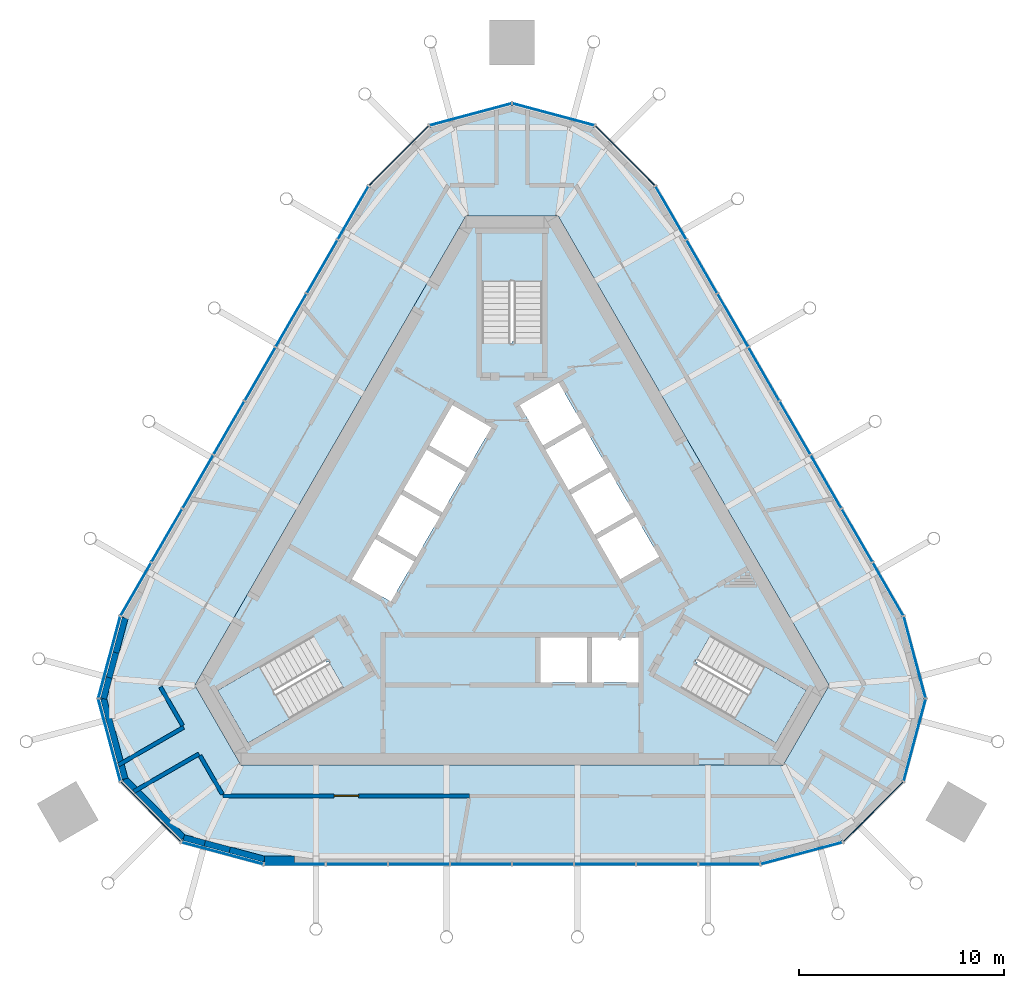
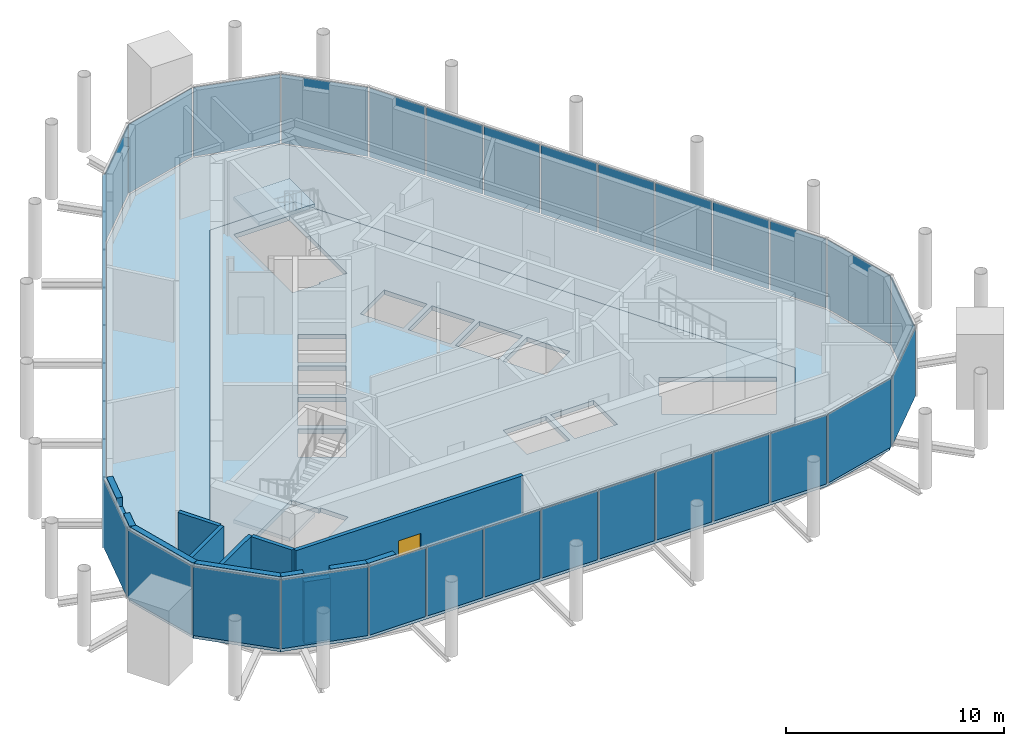
# One storey, part 6 of 11: 36 plates, 14 walls, 5 slabs, 1 door, 1 opening, 9 elements without a shape of their own.
"""IFC4 building model written with IfcOpenShell, lengths in metres."""

import ifcopenshell
import ifcopenshell.guid

model = None  # the IFC model being written
_history = None  # IfcOwnerHistory: only IFC2X3 demands one
_inside = {}  # id of a spatial element -> (the spatial element, [elements in it])
_under = {}  # id of a project, library or spatial element -> (it, [spatial elements below it])
_declared = {}  # id of a project -> (the project, [libraries it declares])
_typed = {}  # id of a type object -> (the type object, [elements of that type])
_made_of = {}  # id of a material, layer set ... -> (it, [elements and type objects made of it])


def new_model(schema):
    """Start an empty IFC model of exactly this schema.

    Asked for "IFC4X3", IfcOpenShell would pick the latest addendum, in which some entities
    have other attributes; the version numbers below select the first issue.
    IFC2X3 requires an IfcOwnerHistory on every rooted entity: one is made here for all.
    """
    global model, _history
    if schema == "IFC4X3":
        model = ifcopenshell.file(schema_version=(4, 3, 0, 0))
    else:
        model = ifcopenshell.file(schema=schema)
    _inside.clear()
    _under.clear()
    _declared.clear()
    _typed.clear()
    _made_of.clear()
    _history = None
    if model.schema == "IFC2X3":
        org = make("IfcOrganization", Name="unknown")
        user = make(
            "IfcPersonAndOrganization",
            ThePerson=make("IfcPerson", FamilyName="unknown"),
            TheOrganization=org,
        )
        app = make(
            "IfcApplication",
            ApplicationDeveloper=org,
            Version="unknown",
            ApplicationFullName="unknown",
            ApplicationIdentifier="unknown",
        )
        _history = make(
            "IfcOwnerHistory",
            OwningUser=user,
            OwningApplication=app,
            ChangeAction="ADDED",
            CreationDate=0,
        )
    return model


def make(cls, **values):
    """One entity of the class cls with the attributes given. An attribute that is None is left unset."""
    return model.create_entity(
        cls, **{name: value for name, value in values.items() if value is not None}
    )


def rooted(cls, **values):
    """An entity with a GlobalId (a new one), such as an element, a storey or a relation."""
    return make(cls, GlobalId=ifcopenshell.guid.new(), OwnerHistory=_history, **values)


def si_unit(unit_type, name, prefix=None):
    """IfcSIUnit, for example si_unit("LENGTHUNIT", "METRE", prefix="MILLI")."""
    return make("IfcSIUnit", UnitType=unit_type, Prefix=prefix, Name=name)


def assignment(units):
    """IfcUnitAssignment: the units of a project."""
    return None if units is None else make("IfcUnitAssignment", Units=units)


def point(xyz):
    """IfcCartesianPoint."""
    return None if xyz is None else make("IfcCartesianPoint", Coordinates=xyz)


def direction(xyz):
    """IfcDirection."""
    return None if xyz is None else make("IfcDirection", DirectionRatios=xyz)


def frame(location, z_axis=None, x_axis=None):
    """IfcAxis2Placement3D, a coordinate frame: its origin and axes. An axis left out is left unset."""
    return make(
        "IfcAxis2Placement3D",
        Location=point(location),
        Axis=direction(z_axis),
        RefDirection=direction(x_axis),
    )


def frame_2d(location, x_axis=None):
    """IfcAxis2Placement2D, a coordinate frame in the plane: its origin and x axis."""
    return make(
        "IfcAxis2Placement2D", Location=point(location), RefDirection=direction(x_axis)
    )


def origin():
    """The frame at (0, 0, 0) with its axes left unset."""
    return frame((0.0, 0.0, 0.0))


def origin_2d():
    """The frame at (0, 0) in the plane with its x axis left unset."""
    return frame_2d((0.0, 0.0))


def place(relative_to, where):
    """IfcLocalPlacement: puts the frame where relative to a parent placement (None: the world)."""
    return make(
        "IfcLocalPlacement", PlacementRelTo=relative_to, RelativePlacement=where
    )


def context(
    kind, dimensions, precision=None, world=None, true_north=None, identifier=None
):
    """IfcGeometricRepresentationContext, for example the 3D "Model" context."""
    return make(
        "IfcGeometricRepresentationContext",
        ContextIdentifier=identifier,
        ContextType=kind,
        CoordinateSpaceDimension=dimensions,
        Precision=precision,
        WorldCoordinateSystem=world,
        TrueNorth=true_north,
    )


def subcontext(parent, identifier, kind, view, scale=None):
    """IfcGeometricRepresentationSubContext, for example "Body" below "Model"."""
    return make(
        "IfcGeometricRepresentationSubContext",
        ContextIdentifier=identifier,
        ContextType=kind,
        ParentContext=parent,
        TargetScale=scale,
        TargetView=view,
    )


def project(units=None, contexts=None):
    """IfcProject with its units and contexts."""
    return rooted(
        "IfcProject",
        Name="project",
        RepresentationContexts=contexts,
        UnitsInContext=assignment(units),
    )


def spatial(cls, under=None, at=None, **own):
    """A site, building, storey or space (cls), placed at a placement, below another one or the project."""
    s = rooted(cls, ObjectPlacement=at, **own)
    if under is not None:
        _under.setdefault(under.id(), (under, []))[1].append(s)
    return s


def polyline(points):
    """IfcPolyline through the points."""
    return make("IfcPolyline", Points=[point(p) for p in points])


def profile(cls, at=None, kind="AREA", **sizes):
    """A parametric profile (cls). Its sizes go by their IFC names, for example OverallWidth=200.0."""
    return make(cls, ProfileType=kind, Position=at, **sizes)


def rectangle(**sizes):
    """IfcRectangleProfileDef."""
    return profile("IfcRectangleProfileDef", **sizes)


def outline(outer, holes=None, kind="AREA"):
    """IfcArbitraryClosedProfileDef: a profile drawn as a closed curve; with holes, ...WithVoids."""
    if holes is None:
        return make("IfcArbitraryClosedProfileDef", ProfileType=kind, OuterCurve=outer)
    return make(
        "IfcArbitraryProfileDefWithVoids",
        ProfileType=kind,
        OuterCurve=outer,
        InnerCurves=holes,
    )


def extrude(swept, where, along, depth):
    """IfcExtrudedAreaSolid: the profile swept, set in the frame where, extruded along a direction by depth."""
    return make(
        "IfcExtrudedAreaSolid",
        SweptArea=swept,
        Position=where,
        ExtrudedDirection=direction(along),
        Depth=depth,
    )


def shape(context_of_items, identifier, shape_type, items):
    """IfcShapeRepresentation: the items that make up one representation, for example the "Body"."""
    return make(
        "IfcShapeRepresentation",
        ContextOfItems=context_of_items,
        RepresentationIdentifier=identifier,
        RepresentationType=shape_type,
        Items=items,
    )


def material(Name=None, Category=None):
    """IfcMaterial."""
    return make("IfcMaterial", Name=Name, Category=Category)


def layer(
    of_material, thickness, ventilated=None, Name=None, Category=None, Priority=None
):
    """IfcMaterialLayer: one layer of a wall or slab, of a material (None: an air gap)."""
    return make(
        "IfcMaterialLayer",
        Material=of_material,
        LayerThickness=thickness,
        IsVentilated=ventilated,
        Name=Name,
        Category=Category,
        Priority=Priority,
    )


def layer_set(layers, Name=None):
    """IfcMaterialLayerSet."""
    return make("IfcMaterialLayerSet", MaterialLayers=layers, LayerSetName=Name)


def made_of(thing, what):
    """Note that an element or type object is made of a material, layer set ...; save() writes the relation."""
    if what is not None:
        _made_of.setdefault(what.id(), (what, []))[1].append(thing)
    return thing


def type_object(cls, material=None, **own):
    """A type object (cls), such as IfcWallType, which elements share."""
    return made_of(rooted(cls, **own), material)


def element(
    cls,
    number,
    at=None,
    inside=None,
    cuts=None,
    type_object=None,
    material=None,
    context=None,
    identifier="Body",
    shape_type=None,
    held_by="IfcProductDefinitionShape",
    body=None,
    shapes=None,
    **own,
):
    """One element of the class cls, such as IfcWall. Its Tag is "e" and its number.

    at: its placement. inside: the storey or other place that contains it. cuts: it is an
    opening in that element (IfcRelVoidsElement). A single representation is given by context,
    identifier, shape_type and body (its items); several are given by shapes. held_by: the class
    of the entity that holds the representations. save() writes the other relations.
    """
    e = rooted(cls, Tag="e%d" % number, ObjectPlacement=at, **own)
    if body is not None:
        shapes = [shape(context, identifier, shape_type, body)]
    if shapes is not None:
        e.Representation = make(held_by, Representations=shapes)
    if inside is not None:
        _inside.setdefault(inside.id(), (inside, []))[1].append(e)
    if cuts is not None:
        rooted(
            "IfcRelVoidsElement", RelatingBuildingElement=cuts, RelatedOpeningElement=e
        )
    if type_object is not None:
        _typed.setdefault(type_object.id(), (type_object, []))[1].append(e)
    return made_of(e, material)


def fill(opening, filler):
    """IfcRelFillsElement: the door or window that sits in an opening."""
    return rooted(
        "IfcRelFillsElement",
        RelatingOpeningElement=opening,
        RelatedBuildingElement=filler,
    )


def aggregate(whole, parts):
    """IfcRelAggregates: a whole, such as a stair, and the parts it consists of."""
    return rooted("IfcRelAggregates", RelatingObject=whole, RelatedObjects=parts)


def save(model, path):
    """Write the relations noted so far, then the file.

    IfcRelAggregates (storeys below a building ...), IfcRelContainedInSpatialStructure (elements
    in a storey), IfcRelDefinesByType, IfcRelAssociatesMaterial and IfcRelDeclares: one each for
    every whole, place, type object, material and project.
    """
    for whole, parts in _under.values():
        aggregate(whole, parts)
    for where, things in _inside.values():
        rooted(
            "IfcRelContainedInSpatialStructure",
            RelatedElements=things,
            RelatingStructure=where,
        )
    for kind, things in _typed.values():
        rooted("IfcRelDefinesByType", RelatedObjects=things, RelatingType=kind)
    for what, things in _made_of.values():
        rooted("IfcRelAssociatesMaterial", RelatedObjects=things, RelatingMaterial=what)
    for by, libraries in _declared.values():
        rooted("IfcRelDeclares", RelatingContext=by, RelatedDefinitions=libraries)
    model.write(path)


model = new_model("IFC4")

# Units and contexts
model_context = context("Model", 3, precision=1e-05, world=origin(), true_north=direction((0.0, 1.0)))
body_context = subcontext(model_context, "Body", "Model", "MODEL_VIEW")
ifc_project = project(units=[si_unit("LENGTHUNIT", "METRE"), si_unit("AREAUNIT", "SQUARE_METRE"), si_unit("VOLUMEUNIT", "CUBIC_METRE"), si_unit("PLANEANGLEUNIT", "RADIAN"), si_unit("MASSUNIT", "GRAM", prefix="KILO")], contexts=[model_context])

# Site, building, storey
site_placement = place(None, origin())
site = spatial("IfcSite", under=ifc_project, at=site_placement, CompositionType="ELEMENT")
building_placement = place(site_placement, origin())
building = spatial("IfcBuilding", under=site, at=building_placement, Name="Mestral Congress Tower", CompositionType="ELEMENT")
storey_placement = place(building_placement, frame((0.0, 0.0, 331.800048828125)))
storey = spatial("IfcBuildingStorey", under=building, at=storey_placement, Name="L77", CompositionType="ELEMENT", Elevation=331.800048828125)

# Slab
ifc_material_1 = material(Name="Concrete C60/75", Category="concrete")
ifc_layer_1 = layer(ifc_material_1, 0.25)
ifc_layer_set_1 = layer_set([ifc_layer_1], Name="Concrete C60/75")
slab_type_1 = type_object("IfcSlabType", Name="Core floor slab RC 250", PredefinedType="FLOOR", material=ifc_layer_set_1)
placement_1 = place(storey_placement, frame((0.0, 0.0, -0.25)))
element("IfcSlab", 1, at=placement_1, inside=storey, type_object=slab_type_1, Name="L77 core floor", PredefinedType="FLOOR", context=body_context, shape_type="SweptSolid", body=[
    extrude(outline(polyline([(13.250244140625, -10.25), (-13.250244140625, -10.25), (-15.501953125, -6.35009765625), (-2.251708984375, 16.60009765625), (2.251708984375, 16.60009765625), (15.501953125, -6.35009765625), (13.250244140625, -10.25)]), holes=[polyline([(-14.37744140625, -6.59765625), (-12.90234375, -9.15234375), (-8.234619140625, -6.45751953125), (-8.971923828125, -5.179931640625), (-9.0673828125, -5.235107421875), (-9.8046875, -3.95751953125), (-14.37744140625, -6.59765625)]), polyline([(-5.921630859375, -2.256591796875), (-4.78662109375, -0.29052734375), (-6.69189453125, 0.809326171875), (-7.826904296875, -1.156494140625), (-5.921630859375, -2.256591796875)]), polyline([(-4.66162109375, -0.07421875), (-3.526611328125, 1.8916015625), (-5.431884765625, 2.99169921875), (-6.56689453125, 1.02587890625), (-4.66162109375, -0.07421875)]), polyline([(-2.2666015625, 4.07421875), (-4.171875, 5.174072265625), (-5.306884765625, 3.208251953125), (-3.401611328125, 2.1083984375), (-2.2666015625, 4.07421875)]), polyline([(-2.1416015625, 4.29052734375), (-1.006591796875, 6.256591796875), (-2.911865234375, 7.3564453125), (-4.046875, 5.390625), (-2.1416015625, 4.29052734375)]), polyline([(0.376708984375, 7.34765625), (1.51171875, 5.3818359375), (3.4169921875, 6.481689453125), (2.281982421875, 8.44775390625), (0.376708984375, 7.34765625)]), polyline([(1.47509765625, 15.75), (-1.47509765625, 15.75), (-1.47509765625, 10.360107421875), (0.0, 10.360107421875), (0.0, 10.469970703125), (1.47509765625, 10.469970703125), (1.47509765625, 15.75)]), polyline([(8.329833984375, -6.512451171875), (12.90234375, -9.15234375), (14.37744140625, -6.59765625), (9.70947265625, -3.902587890625), (8.971923828125, -5.179931640625), (9.0673828125, -5.235107421875), (8.329833984375, -6.512451171875)]), polyline([(3.655029296875, -4.0), (1.385009765625, -4.0), (1.385009765625, -6.199951171875), (3.655029296875, -6.199951171875), (3.655029296875, -4.0)]), polyline([(6.175048828125, -4.0), (3.905029296875, -4.0), (3.905029296875, -6.199951171875), (6.175048828125, -6.199951171875), (6.175048828125, -4.0)]), polyline([(4.156494140625, 0.800537109375), (5.29150390625, -1.165283203125), (7.197021484375, -0.065185546875), (6.06201171875, 1.900634765625), (4.156494140625, 0.800537109375)]), polyline([(2.896484375, 2.98291015625), (4.031494140625, 1.01708984375), (5.93701171875, 2.1171875), (4.802001953125, 4.0830078125), (2.896484375, 2.98291015625)]), polyline([(1.63671875, 5.165283203125), (2.771484375, 3.199462890625), (4.677001953125, 4.29931640625), (3.5419921875, 6.265380859375), (1.63671875, 5.165283203125)])]), origin(), (0.0, 0.0, 1.0), 0.25),
])

# Stair, slab
stair_type = type_object("IfcStairType", Name="Exit stair 1400", PredefinedType="HALF_TURN_STAIR", material=ifc_material_1)
placement_2 = place(storey_placement, origin())
stair_1 = element("IfcStair", 2, at=placement_2, inside=storey, type_object=stair_type, Name="L77 ST1", PredefinedType="HALF_TURN_STAIR")
ifc_layer_2 = layer(ifc_material_1, 0.199951171875)
ifc_layer_set_2 = layer_set([ifc_layer_2], Name="Concrete C60/75")
slab_type_2 = type_object("IfcSlabType", Name="Exit stair landing 200", PredefinedType="LANDING", material=ifc_layer_set_2)
placement_3 = place(storey_placement, frame((0.0, 0.0, 1.89990234375)))
slab_2 = element("IfcSlab", 3, at=placement_3, type_object=slab_type_2, Name="ST1 landing 1", PredefinedType="LANDING", context=body_context, shape_type="SweptSolid", body=[
    extrude(outline(polyline([(10.879638671875, -7.99609375), (12.364501953125, -5.424072265625), (14.39111328125, -6.593994140625), (12.906005859375, -9.166015625), (10.879638671875, -7.99609375)])), origin(), (0.0, 0.0, 1.0), 0.199951171875),
])
aggregate(stair_1, [slab_2])

stair_2 = element("IfcStair", 4, at=placement_2, inside=storey, type_object=stair_type, Name="L77 ST2", PredefinedType="HALF_TURN_STAIR")
slab_3 = element("IfcSlab", 5, at=placement_3, type_object=slab_type_2, Name="ST2 landing 1", PredefinedType="LANDING", context=body_context, shape_type="SweptSolid", body=[
    extrude(outline(polyline([(1.485107421875, 13.419921875), (-1.485107421875, 13.419921875), (-1.485107421875, 15.760009765625), (1.485107421875, 15.760009765625), (1.485107421875, 13.419921875)])), origin(), (0.0, 0.0, 1.0), 0.199951171875),
])
aggregate(stair_2, [slab_3])

stair_3 = element("IfcStair", 6, at=placement_2, inside=storey, type_object=stair_type, Name="L77 ST3", PredefinedType="HALF_TURN_STAIR")
slab_4 = element("IfcSlab", 7, at=placement_3, type_object=slab_type_2, Name="ST3 landing 1", PredefinedType="LANDING", context=body_context, shape_type="SweptSolid", body=[
    extrude(outline(polyline([(-12.364501953125, -5.424072265625), (-10.879638671875, -7.99609375), (-12.906005859375, -9.166015625), (-14.39111328125, -6.593994140625), (-12.364501953125, -5.424072265625)])), origin(), (0.0, 0.0, 1.0), 0.199951171875),
])
aggregate(stair_3, [slab_4])

# Curtain wall, plates
ifc_material_2 = material(Name="Glazed ceramic", Category="masonry")
curtain_wall_type = type_object("IfcCurtainWallType", Name="Facade plant louvre screen", PredefinedType="USERDEFINED", material=ifc_material_2)
curtain_wall_1 = element("IfcCurtainWall", 8, at=placement_2, inside=storey, type_object=curtain_wall_type, Name="Plant louvre screen corner 1", ObjectType="CURTAIN WALL", PredefinedType="USERDEFINED")
ifc_layer_3 = layer(ifc_material_2, 0.0400390625)
ifc_layer_set_3 = layer_set([ifc_layer_3], Name="Glazed ceramic")
plate_type = type_object("IfcPlateType", Name="Facade plant louvre screen panel", PredefinedType="CURTAIN_PANEL", material=ifc_layer_set_3)
plate_1_placement = place(storey_placement, frame((14.156982421875, -14.558837890625, 0.0), z_axis=(0.0, 0.0, 1.0), x_axis=(0.965925826289, 0.258819045103, 0.0)))
plate_1 = element("IfcPlate", 9, at=plate_1_placement, type_object=plate_type, Name="Ceramic louvre panel", PredefinedType="CURTAIN_PANEL", context=body_context, shape_type="SweptSolid", body=[
    extrude(rectangle(XDim=4.10107421875, YDim=0.0400390625, at=origin_2d()), origin(), (0.0, 0.0, 1.0), 3.85009765625),
])
plate_2_placement = place(storey_placement, frame((17.6591796875, -12.534912109375, 0.0), z_axis=(0.0, 0.0, 1.0), x_axis=(0.707106781187, 0.707106781187, 0.0)))
plate_2 = element("IfcPlate", 10, at=plate_2_placement, type_object=plate_type, Name="Ceramic louvre panel", PredefinedType="CURTAIN_PANEL", context=body_context, shape_type="SweptSolid", body=[
    extrude(rectangle(XDim=4.11474609375, YDim=0.0400390625, at=origin_2d()), origin(), (0.0, 0.0, 1.0), 3.85009765625),
])
plate_3_placement = place(storey_placement, frame((19.68505859375, -9.02587890625, 0.0), z_axis=(0.0, 0.0, 1.0), x_axis=(0.258819045103, 0.965925826289, 0.0)))
plate_3 = element("IfcPlate", 11, at=plate_3_placement, type_object=plate_type, Name="Ceramic louvre panel", PredefinedType="CURTAIN_PANEL", context=body_context, shape_type="SweptSolid", body=[
    extrude(rectangle(XDim=4.11474609375, YDim=0.0400390625, at=origin_2d()), origin(), (0.0, 0.0, 1.0), 3.85009765625),
])
plate_4_placement = place(storey_placement, frame((19.68701171875, -4.980712890625, 0.0), z_axis=(0.0, 0.0, 1.0), x_axis=(-0.258819045103, 0.965925826289, 0.0)))
plate_4 = element("IfcPlate", 12, at=plate_4_placement, type_object=plate_type, Name="Ceramic louvre panel", PredefinedType="CURTAIN_PANEL", context=body_context, shape_type="SweptSolid", body=[
    extrude(rectangle(XDim=4.10107421875, YDim=0.0400390625, at=origin_2d()), origin(), (0.0, 0.0, 1.0), 3.85009765625),
])
aggregate(curtain_wall_1, [plate_1, plate_2, plate_3, plate_4])

curtain_wall_2 = element("IfcCurtainWall", 13, at=placement_2, inside=storey, type_object=curtain_wall_type, Name="Plant louvre screen side 2", ObjectType="CURTAIN WALL", PredefinedType="USERDEFINED")
plate_5_placement = place(storey_placement, frame((18.38720703125, -1.6474609375, 0.0), z_axis=(0.0, 0.0, 1.0), x_axis=(-0.500001511499, 0.866024531118, 0.0)))
plate_5 = element("IfcPlate", 14, at=plate_5_placement, type_object=plate_type, Name="Ceramic louvre panel", PredefinedType="CURTAIN_PANEL", context=body_context, shape_type="SweptSolid", body=[
    extrude(rectangle(XDim=2.954345703125, YDim=0.0400390625, at=origin_2d()), origin(), (0.0, 0.0, 1.0), 3.85009765625),
])
plate_6_placement = place(storey_placement, frame((16.8701171875, 0.98046875, 0.0), z_axis=(0.0, 0.0, 1.0), x_axis=(-0.500001511499, 0.866024531118, 0.0)))
plate_6 = element("IfcPlate", 15, at=plate_6_placement, type_object=plate_type, Name="Ceramic louvre panel", PredefinedType="CURTAIN_PANEL", context=body_context, shape_type="SweptSolid", body=[
    extrude(rectangle(XDim=2.954345703125, YDim=0.0400390625, at=origin_2d()), origin(), (0.0, 0.0, 1.0), 3.85009765625),
])
plate_7_placement = place(storey_placement, frame((15.352783203125, 3.608154296875, 0.0), z_axis=(0.0, 0.0, 1.0), x_axis=(-0.500001511499, 0.866024531118, 0.0)))
plate_7 = element("IfcPlate", 16, at=plate_7_placement, type_object=plate_type, Name="Ceramic louvre panel", PredefinedType="CURTAIN_PANEL", context=body_context, shape_type="SweptSolid", body=[
    extrude(rectangle(XDim=2.954345703125, YDim=0.0400390625, at=origin_2d()), origin(), (0.0, 0.0, 1.0), 3.85009765625),
])
plate_8_placement = place(storey_placement, frame((13.835693359375, 6.236083984375, 0.0), z_axis=(0.0, 0.0, 1.0), x_axis=(-0.500001511499, 0.866024531118, 0.0)))
plate_8 = element("IfcPlate", 17, at=plate_8_placement, type_object=plate_type, Name="Ceramic louvre panel", PredefinedType="CURTAIN_PANEL", context=body_context, shape_type="SweptSolid", body=[
    extrude(rectangle(XDim=2.954345703125, YDim=0.0400390625, at=origin_2d()), origin(), (0.0, 0.0, 1.0), 3.85009765625),
])
plate_9_placement = place(storey_placement, frame((12.318359375, 8.864013671875, 0.0), z_axis=(0.0, 0.0, 1.0), x_axis=(-0.500001511499, 0.866024531118, 0.0)))
plate_9 = element("IfcPlate", 18, at=plate_9_placement, type_object=plate_type, Name="Ceramic louvre panel", PredefinedType="CURTAIN_PANEL", context=body_context, shape_type="SweptSolid", body=[
    extrude(rectangle(XDim=2.954345703125, YDim=0.0400390625, at=origin_2d()), origin(), (0.0, 0.0, 1.0), 3.85009765625),
])
plate_10_placement = place(storey_placement, frame((10.80126953125, 11.49169921875, 0.0), z_axis=(0.0, 0.0, 1.0), x_axis=(-0.500001511499, 0.866024531118, 0.0)))
plate_10 = element("IfcPlate", 19, at=plate_10_placement, type_object=plate_type, Name="Ceramic louvre panel", PredefinedType="CURTAIN_PANEL", context=body_context, shape_type="SweptSolid", body=[
    extrude(rectangle(XDim=2.954345703125, YDim=0.0400390625, at=origin_2d()), origin(), (0.0, 0.0, 1.0), 3.85009765625),
])
plate_11_placement = place(storey_placement, frame((9.283935546875, 14.11962890625, 0.0), z_axis=(0.0, 0.0, 1.0), x_axis=(-0.500001511499, 0.866024531118, 0.0)))
plate_11 = element("IfcPlate", 20, at=plate_11_placement, type_object=plate_type, Name="Ceramic louvre panel", PredefinedType="CURTAIN_PANEL", context=body_context, shape_type="SweptSolid", body=[
    extrude(rectangle(XDim=2.954345703125, YDim=0.0400390625, at=origin_2d()), origin(), (0.0, 0.0, 1.0), 3.85009765625),
])
plate_12_placement = place(storey_placement, frame((7.766845703125, 16.74755859375, 0.0), z_axis=(0.0, 0.0, 1.0), x_axis=(-0.500001511499, 0.866024531118, 0.0)))
plate_12 = element("IfcPlate", 21, at=plate_12_placement, type_object=plate_type, Name="Ceramic louvre panel", PredefinedType="CURTAIN_PANEL", context=body_context, shape_type="SweptSolid", body=[
    extrude(rectangle(XDim=2.954345703125, YDim=0.0400390625, at=origin_2d()), origin(), (0.0, 0.0, 1.0), 3.85009765625),
])
aggregate(curtain_wall_2, [plate_5, plate_6, plate_7, plate_8, plate_9, plate_10, plate_11, plate_12])

curtain_wall_3 = element("IfcCurtainWall", 22, at=placement_2, inside=storey, type_object=curtain_wall_type, Name="Plant louvre screen corner 3", ObjectType="CURTAIN WALL", PredefinedType="USERDEFINED")
plate_13_placement = place(storey_placement, frame((5.530029296875, 19.53955078125, 0.0), z_axis=(0.0, 0.0, 1.0), x_axis=(-0.707106781187, 0.707106781187, 0.0)))
plate_13 = element("IfcPlate", 23, at=plate_13_placement, type_object=plate_type, Name="Ceramic louvre panel", PredefinedType="CURTAIN_PANEL", context=body_context, shape_type="SweptSolid", body=[
    extrude(rectangle(XDim=4.10107421875, YDim=0.0400390625, at=origin_2d()), origin(), (0.0, 0.0, 1.0), 3.85009765625),
])
plate_14_placement = place(storey_placement, frame((2.02587890625, 21.560791015625, 0.0), z_axis=(0.0, 0.0, 1.0), x_axis=(-0.965925826289, 0.258819045103, 0.0)))
plate_14 = element("IfcPlate", 24, at=plate_14_placement, type_object=plate_type, Name="Ceramic louvre panel", PredefinedType="CURTAIN_PANEL", context=body_context, shape_type="SweptSolid", body=[
    extrude(rectangle(XDim=4.11474609375, YDim=0.0400390625, at=origin_2d()), origin(), (0.0, 0.0, 1.0), 3.85009765625),
])
plate_15_placement = place(storey_placement, frame((-2.02587890625, 21.560791015625, 0.0), z_axis=(0.0, 0.0, 1.0), x_axis=(-0.965925826289, -0.258819045103, 0.0)))
plate_15 = element("IfcPlate", 25, at=plate_15_placement, type_object=plate_type, Name="Ceramic louvre panel", PredefinedType="CURTAIN_PANEL", context=body_context, shape_type="SweptSolid", body=[
    extrude(rectangle(XDim=4.11474609375, YDim=0.0400390625, at=origin_2d()), origin(), (0.0, 0.0, 1.0), 3.85009765625),
])
plate_16_placement = place(storey_placement, frame((-5.530029296875, 19.53955078125, 0.0), z_axis=(0.0, 0.0, 1.0), x_axis=(-0.707106781187, -0.707106781187, 0.0)))
plate_16 = element("IfcPlate", 26, at=plate_16_placement, type_object=plate_type, Name="Ceramic louvre panel", PredefinedType="CURTAIN_PANEL", context=body_context, shape_type="SweptSolid", body=[
    extrude(rectangle(XDim=4.10107421875, YDim=0.0400390625, at=origin_2d()), origin(), (0.0, 0.0, 1.0), 3.85009765625),
])
aggregate(curtain_wall_3, [plate_13, plate_14, plate_15, plate_16])

curtain_wall_4 = element("IfcCurtainWall", 27, at=placement_2, inside=storey, type_object=curtain_wall_type, Name="Plant louvre screen side 4", ObjectType="CURTAIN WALL", PredefinedType="USERDEFINED")
plate_17_placement = place(storey_placement, frame((-7.766845703125, 16.74755859375, 0.0), z_axis=(0.0, 0.0, 1.0), x_axis=(-0.500001511499, -0.866024531118, 0.0)))
plate_17 = element("IfcPlate", 28, at=plate_17_placement, type_object=plate_type, Name="Ceramic louvre panel", PredefinedType="CURTAIN_PANEL", context=body_context, shape_type="SweptSolid", body=[
    extrude(rectangle(XDim=2.954345703125, YDim=0.0400390625, at=origin_2d()), origin(), (0.0, 0.0, 1.0), 3.85009765625),
])
plate_18_placement = place(storey_placement, frame((-9.283935546875, 14.11962890625, 0.0), z_axis=(0.0, 0.0, 1.0), x_axis=(-0.500001511499, -0.866024531118, 0.0)))
plate_18 = element("IfcPlate", 29, at=plate_18_placement, type_object=plate_type, Name="Ceramic louvre panel", PredefinedType="CURTAIN_PANEL", context=body_context, shape_type="SweptSolid", body=[
    extrude(rectangle(XDim=2.954345703125, YDim=0.0400390625, at=origin_2d()), origin(), (0.0, 0.0, 1.0), 3.85009765625),
])
plate_19_placement = place(storey_placement, frame((-10.80126953125, 11.49169921875, 0.0), z_axis=(0.0, 0.0, 1.0), x_axis=(-0.500001511499, -0.866024531118, 0.0)))
plate_19 = element("IfcPlate", 30, at=plate_19_placement, type_object=plate_type, Name="Ceramic louvre panel", PredefinedType="CURTAIN_PANEL", context=body_context, shape_type="SweptSolid", body=[
    extrude(rectangle(XDim=2.954345703125, YDim=0.0400390625, at=origin_2d()), origin(), (0.0, 0.0, 1.0), 3.85009765625),
])
plate_20_placement = place(storey_placement, frame((-12.318359375, 8.864013671875, 0.0), z_axis=(0.0, 0.0, 1.0), x_axis=(-0.500001511499, -0.866024531118, 0.0)))
plate_20 = element("IfcPlate", 31, at=plate_20_placement, type_object=plate_type, Name="Ceramic louvre panel", PredefinedType="CURTAIN_PANEL", context=body_context, shape_type="SweptSolid", body=[
    extrude(rectangle(XDim=2.954345703125, YDim=0.0400390625, at=origin_2d()), origin(), (0.0, 0.0, 1.0), 3.85009765625),
])
plate_21_placement = place(storey_placement, frame((-13.835693359375, 6.236083984375, 0.0), z_axis=(0.0, 0.0, 1.0), x_axis=(-0.500001511499, -0.866024531118, 0.0)))
plate_21 = element("IfcPlate", 32, at=plate_21_placement, type_object=plate_type, Name="Ceramic louvre panel", PredefinedType="CURTAIN_PANEL", context=body_context, shape_type="SweptSolid", body=[
    extrude(rectangle(XDim=2.954345703125, YDim=0.0400390625, at=origin_2d()), origin(), (0.0, 0.0, 1.0), 3.85009765625),
])
plate_22_placement = place(storey_placement, frame((-15.352783203125, 3.608154296875, 0.0), z_axis=(0.0, 0.0, 1.0), x_axis=(-0.500001511499, -0.866024531118, 0.0)))
plate_22 = element("IfcPlate", 33, at=plate_22_placement, type_object=plate_type, Name="Ceramic louvre panel", PredefinedType="CURTAIN_PANEL", context=body_context, shape_type="SweptSolid", body=[
    extrude(rectangle(XDim=2.954345703125, YDim=0.0400390625, at=origin_2d()), origin(), (0.0, 0.0, 1.0), 3.85009765625),
])
plate_23_placement = place(storey_placement, frame((-16.8701171875, 0.98046875, 0.0), z_axis=(0.0, 0.0, 1.0), x_axis=(-0.500001511499, -0.866024531118, 0.0)))
plate_23 = element("IfcPlate", 34, at=plate_23_placement, type_object=plate_type, Name="Ceramic louvre panel", PredefinedType="CURTAIN_PANEL", context=body_context, shape_type="SweptSolid", body=[
    extrude(rectangle(XDim=2.954345703125, YDim=0.0400390625, at=origin_2d()), origin(), (0.0, 0.0, 1.0), 3.85009765625),
])
plate_24_placement = place(storey_placement, frame((-18.38720703125, -1.6474609375, 0.0), z_axis=(0.0, 0.0, 1.0), x_axis=(-0.500001511499, -0.866024531118, 0.0)))
plate_24 = element("IfcPlate", 35, at=plate_24_placement, type_object=plate_type, Name="Ceramic louvre panel", PredefinedType="CURTAIN_PANEL", context=body_context, shape_type="SweptSolid", body=[
    extrude(rectangle(XDim=2.954345703125, YDim=0.0400390625, at=origin_2d()), origin(), (0.0, 0.0, 1.0), 3.85009765625),
])
aggregate(curtain_wall_4, [plate_17, plate_18, plate_19, plate_20, plate_21, plate_22, plate_23, plate_24])

curtain_wall_5 = element("IfcCurtainWall", 36, at=placement_2, inside=storey, type_object=curtain_wall_type, Name="Plant louvre screen corner 5", ObjectType="CURTAIN WALL", PredefinedType="USERDEFINED")
plate_25_placement = place(storey_placement, frame((-19.68701171875, -4.980712890625, 0.0), z_axis=(0.0, 0.0, 1.0), x_axis=(-0.258819045103, -0.965925826289, 0.0)))
plate_25 = element("IfcPlate", 37, at=plate_25_placement, type_object=plate_type, Name="Ceramic louvre panel", PredefinedType="CURTAIN_PANEL", context=body_context, shape_type="SweptSolid", body=[
    extrude(rectangle(XDim=4.10107421875, YDim=0.0400390625, at=origin_2d()), origin(), (0.0, 0.0, 1.0), 3.85009765625),
])
plate_26_placement = place(storey_placement, frame((-19.68505859375, -9.02587890625, 0.0), z_axis=(0.0, 0.0, 1.0), x_axis=(0.258819045103, -0.965925826289, 0.0)))
plate_26 = element("IfcPlate", 38, at=plate_26_placement, type_object=plate_type, Name="Ceramic louvre panel", PredefinedType="CURTAIN_PANEL", context=body_context, shape_type="SweptSolid", body=[
    extrude(rectangle(XDim=4.11474609375, YDim=0.0400390625, at=origin_2d()), origin(), (0.0, 0.0, 1.0), 3.85009765625),
])
plate_27_placement = place(storey_placement, frame((-17.6591796875, -12.534912109375, 0.0), z_axis=(0.0, 0.0, 1.0), x_axis=(0.707106781187, -0.707106781187, 0.0)))
plate_27 = element("IfcPlate", 39, at=plate_27_placement, type_object=plate_type, Name="Ceramic louvre panel", PredefinedType="CURTAIN_PANEL", context=body_context, shape_type="SweptSolid", body=[
    extrude(rectangle(XDim=4.11474609375, YDim=0.0400390625, at=origin_2d()), origin(), (0.0, 0.0, 1.0), 3.85009765625),
])
plate_28_placement = place(storey_placement, frame((-14.156982421875, -14.558837890625, 0.0), z_axis=(0.0, 0.0, 1.0), x_axis=(0.965925826289, -0.258819045103, 0.0)))
plate_28 = element("IfcPlate", 40, at=plate_28_placement, type_object=plate_type, Name="Ceramic louvre panel", PredefinedType="CURTAIN_PANEL", context=body_context, shape_type="SweptSolid", body=[
    extrude(rectangle(XDim=4.10107421875, YDim=0.0400390625, at=origin_2d()), origin(), (0.0, 0.0, 1.0), 3.85009765625),
])
aggregate(curtain_wall_5, [plate_25, plate_26, plate_27, plate_28])

curtain_wall_6 = element("IfcCurtainWall", 41, at=placement_2, inside=storey, type_object=curtain_wall_type, Name="Plant louvre screen side 6", ObjectType="CURTAIN WALL", PredefinedType="USERDEFINED")
plate_29_placement = place(storey_placement, frame((-10.620361328125, -15.10009765625, 0.0), z_axis=(0.0, 0.0, 1.0), x_axis=(1.0, 0.0, 0.0)))
plate_29 = element("IfcPlate", 42, at=plate_29_placement, type_object=plate_type, Name="Ceramic louvre panel", PredefinedType="CURTAIN_PANEL", context=body_context, shape_type="SweptSolid", body=[
    extrude(rectangle(XDim=2.954345703125, YDim=0.0400390625, at=origin_2d()), origin(), (0.0, 0.0, 1.0), 3.85009765625),
])
plate_30_placement = place(storey_placement, frame((-7.5859375, -15.10009765625, 0.0), z_axis=(0.0, 0.0, 1.0), x_axis=(1.0, 0.0, 0.0)))
plate_30 = element("IfcPlate", 43, at=plate_30_placement, type_object=plate_type, Name="Ceramic louvre panel", PredefinedType="CURTAIN_PANEL", context=body_context, shape_type="SweptSolid", body=[
    extrude(rectangle(XDim=2.954345703125, YDim=0.0400390625, at=origin_2d()), origin(), (0.0, 0.0, 1.0), 3.85009765625),
])
plate_31_placement = place(storey_placement, frame((-4.551513671875, -15.10009765625, 0.0), z_axis=(0.0, 0.0, 1.0), x_axis=(1.0, 0.0, 0.0)))
plate_31 = element("IfcPlate", 44, at=plate_31_placement, type_object=plate_type, Name="Ceramic louvre panel", PredefinedType="CURTAIN_PANEL", context=body_context, shape_type="SweptSolid", body=[
    extrude(rectangle(XDim=2.954345703125, YDim=0.0400390625, at=origin_2d()), origin(), (0.0, 0.0, 1.0), 3.85009765625),
])
plate_32_placement = place(storey_placement, frame((-1.51708984375, -15.10009765625, 0.0), z_axis=(0.0, 0.0, 1.0), x_axis=(1.0, 0.0, 0.0)))
plate_32 = element("IfcPlate", 45, at=plate_32_placement, type_object=plate_type, Name="Ceramic louvre panel", PredefinedType="CURTAIN_PANEL", context=body_context, shape_type="SweptSolid", body=[
    extrude(rectangle(XDim=2.954345703125, YDim=0.0400390625, at=origin_2d()), origin(), (0.0, 0.0, 1.0), 3.85009765625),
])
plate_33_placement = place(storey_placement, frame((1.51708984375, -15.10009765625, 0.0), z_axis=(0.0, 0.0, 1.0), x_axis=(1.0, 0.0, 0.0)))
plate_33 = element("IfcPlate", 46, at=plate_33_placement, type_object=plate_type, Name="Ceramic louvre panel", PredefinedType="CURTAIN_PANEL", context=body_context, shape_type="SweptSolid", body=[
    extrude(rectangle(XDim=2.954345703125, YDim=0.0400390625, at=origin_2d()), origin(), (0.0, 0.0, 1.0), 3.85009765625),
])
plate_34_placement = place(storey_placement, frame((4.551513671875, -15.10009765625, 0.0), z_axis=(0.0, 0.0, 1.0), x_axis=(1.0, 0.0, 0.0)))
plate_34 = element("IfcPlate", 47, at=plate_34_placement, type_object=plate_type, Name="Ceramic louvre panel", PredefinedType="CURTAIN_PANEL", context=body_context, shape_type="SweptSolid", body=[
    extrude(rectangle(XDim=2.954345703125, YDim=0.0400390625, at=origin_2d()), origin(), (0.0, 0.0, 1.0), 3.85009765625),
])
plate_35_placement = place(storey_placement, frame((7.5859375, -15.10009765625, 0.0), z_axis=(0.0, 0.0, 1.0), x_axis=(1.0, 0.0, 0.0)))
plate_35 = element("IfcPlate", 48, at=plate_35_placement, type_object=plate_type, Name="Ceramic louvre panel", PredefinedType="CURTAIN_PANEL", context=body_context, shape_type="SweptSolid", body=[
    extrude(rectangle(XDim=2.954345703125, YDim=0.0400390625, at=origin_2d()), origin(), (0.0, 0.0, 1.0), 3.85009765625),
])
plate_36_placement = place(storey_placement, frame((10.620361328125, -15.10009765625, 0.0), z_axis=(0.0, 0.0, 1.0), x_axis=(1.0, 0.0, 0.0)))
plate_36 = element("IfcPlate", 49, at=plate_36_placement, type_object=plate_type, Name="Ceramic louvre panel", PredefinedType="CURTAIN_PANEL", context=body_context, shape_type="SweptSolid", body=[
    extrude(rectangle(XDim=2.954345703125, YDim=0.0400390625, at=origin_2d()), origin(), (0.0, 0.0, 1.0), 3.85009765625),
])
aggregate(curtain_wall_6, [plate_29, plate_30, plate_31, plate_32, plate_33, plate_34, plate_35, plate_36])

# Slab
ifc_material_3 = material(Name="Concrete C35/45", Category="concrete")
ifc_layer_4 = layer(ifc_material_3, 0.25)
ifc_layer_set_4 = layer_set([ifc_layer_4], Name="Concrete C35/45")
slab_type_3 = type_object("IfcSlabType", Name="Plant floor slab 250", PredefinedType="FLOOR", material=ifc_layer_set_4)
element("IfcSlab", 50, at=placement_1, inside=storey, type_object=slab_type_3, Name="SL-L77-PLANT", PredefinedType="FLOOR", context=body_context, shape_type="SweptSolid", body=[
    extrude(outline(polyline([(12.12451171875, -15.0), (16.12451171875, -13.92822265625), (19.052490234375, -11.0), (20.12451171875, -7.0), (19.052490234375, -3.0), (6.92822265625, 18.0), (4.0, 20.92822265625), (0.0, 22.0), (-4.0, 20.92822265625), (-6.92822265625, 18.0), (-19.052490234375, -3.0), (-20.12451171875, -7.0), (-19.052490234375, -11.0), (-16.12451171875, -13.92822265625), (-12.12451171875, -15.0), (12.12451171875, -15.0)]), holes=[polyline([(-2.251708984375, 16.60009765625), (-15.501953125, -6.35009765625), (-13.250244140625, -10.25), (13.250244140625, -10.25), (15.501953125, -6.35009765625), (2.251708984375, 16.60009765625), (-2.251708984375, 16.60009765625)])]), origin(), (0.0, 0.0, 1.0), 0.25),
])

# Walls
ifc_material_4 = material(Name="Precast concrete C40/50 with limestone facing", Category="masonry")
ifc_layer_5 = layer(ifc_material_4, 0.300048828125)
ifc_layer_set_5 = layer_set([ifc_layer_5], Name="Precast concrete C40/50 with limestone facing")
wall_type_1 = type_object("IfcWallType", Name="Crown plant block wall 300", PredefinedType="SOLIDWALL", material=ifc_layer_set_5)
wall_1_placement = place(storey_placement, frame((-18.912841796875, -3.057861328125, 0.0), z_axis=(0.0, 0.0, 1.0), x_axis=(-0.258824282894, -0.965924422812, 0.0)))
element("IfcWall", 51, at=wall_1_placement, inside=storey, type_object=wall_type_1, Name="Plant block wall 11", PredefinedType="SOLIDWALL", context=body_context, shape_type="SweptSolid", body=[
    extrude(rectangle(XDim=1.752685546875, YDim=0.300048828125, at=frame_2d((0.87646484375, 0.0))), origin(), (0.0, 0.0, 1.0), 3.949951171875),
])
wall_2_placement = place(storey_placement, frame((-19.693603515625, -5.9716796875, 0.0), z_axis=(0.0, 0.0, 1.0), x_axis=(-0.258690231517, -0.96596033258, 0.0)))
element("IfcWall", 52, at=wall_2_placement, inside=storey, type_object=wall_type_1, Name="Plant block wall 11", PredefinedType="SOLIDWALL", context=body_context, shape_type="SweptSolid", body=[
    extrude(rectangle(XDim=1.064453125, YDim=0.300048828125, at=frame_2d((0.5322265625, 0.0))), origin(), (0.0, 0.0, 1.0), 3.949951171875),
])
for number, where, z_axis, x_axis, name in (
    (53, (-19.968994140625, -7.0, 0.0), (0.0, 0.0, 1.0), (0.258770144726, -0.965938927779, 0.0), "Plant block wall 12"),
    (54, (-18.918212890625, -10.92236328125, 0.0), (0.0, 0.0, 1.0), (0.707106781187, -0.707106781187, 0.0), "Plant block wall 13"),
):
    element("IfcWall", number, at=place(storey_placement, frame(where, z_axis=z_axis, x_axis=x_axis)), inside=storey, type_object=wall_type_1, Name=name, PredefinedType="SOLIDWALL", context=body_context, shape_type="SweptSolid", body=[
        extrude(rectangle(XDim=4.060791015625, YDim=0.300048828125, at=frame_2d((2.0302734375, 0.0))), origin(), (0.0, 0.0, 1.0), 3.949951171875),
    ])
wall_3_placement = place(storey_placement, frame((-16.046875, -13.793701171875, 0.0), z_axis=(0.0, 0.0, 1.0), x_axis=(0.965918371587, -0.258846864828, 0.0)))
element("IfcWall", 55, at=wall_3_placement, inside=storey, type_object=wall_type_1, Name="Plant block wall 14", PredefinedType="SOLIDWALL", context=body_context, shape_type="SweptSolid", body=[
    extrude(rectangle(XDim=1.06494140625, YDim=0.300048828125, at=frame_2d((0.532470703125, 0.0))), origin(), (0.0, 0.0, 1.0), 3.949951171875),
])
wall_4_placement = place(storey_placement, frame((-13.79736328125, -14.396484375, 0.0), z_axis=(0.0, 0.0, 1.0), x_axis=(0.965915089044, -0.258859113723, 0.0)))
element("IfcWall", 56, at=wall_4_placement, inside=storey, type_object=wall_type_1, Name="Plant block wall 14", PredefinedType="SOLIDWALL", context=body_context, shape_type="SweptSolid", body=[
    extrude(rectangle(XDim=1.75244140625, YDim=0.300048828125, at=frame_2d((0.876220703125, 0.0))), origin(), (0.0, 0.0, 1.0), 3.949951171875),
])
wall_5_placement = place(storey_placement, frame((-12.104736328125, -14.85009765625, 0.0), z_axis=(0.0, 0.0, 1.0), x_axis=(1.0, 0.0, 0.0)))
element("IfcWall", 57, at=wall_5_placement, inside=storey, type_object=wall_type_1, Name="Plant block wall 15", PredefinedType="SOLIDWALL", context=body_context, shape_type="SweptSolid", body=[
    extrude(rectangle(XDim=1.4638671875, YDim=0.300048828125, at=frame_2d((0.73193359375, 0.0))), origin(), (0.0, 0.0, 1.0), 3.949951171875),
])
ifc_layer_6 = layer(ifc_material_4, 0.300048828125)
ifc_layer_set_6 = layer_set([ifc_layer_6], Name="Precast concrete C40/50 with limestone facing")
wall_type_2 = type_object("IfcWallType", Name="Crown plant block wall 300 under girder", PredefinedType="SOLIDWALL", material=ifc_layer_set_6)
for number, where, z_axis, x_axis, name in (
    (58, (-19.366455078125, -4.750732421875, 0.0), (0.0, 0.0, 1.0), (-0.258816538161, -0.965926498018, 0.0), "Plant block wall 11"),
    (59, (-15.018310546875, -14.0693359375, 0.0), (0.0, 0.0, 1.0), (0.965926498018, -0.258816538161, 0.0), "Plant block wall 14"),
):
    element("IfcWall", number, at=place(storey_placement, frame(where, z_axis=z_axis, x_axis=x_axis)), inside=storey, type_object=wall_type_2, Name=name, PredefinedType="SOLIDWALL", context=body_context, shape_type="SweptSolid", body=[
        extrude(rectangle(XDim=1.263916015625, YDim=0.300048828125, at=frame_2d((0.6318359375, 0.0))), origin(), (0.0, 0.0, 1.0), 3.449951171875),
    ])

# Wall, opening, door
ifc_material_5 = material(Name="Concrete block wall, plastered", Category="concrete")
ifc_layer_7 = layer(ifc_material_5, 0.199951171875)
ifc_layer_set_7 = layer_set([ifc_layer_7], Name="Concrete block wall, plastered")
wall_type_3 = type_object("IfcWallType", Name="Special partition 200 EI 120", PredefinedType="PARTITIONING", material=ifc_layer_set_7)
wall_6_placement = place(storey_placement, frame((-14.1162109375, -11.75, 0.0), z_axis=(0.0, 0.0, 1.0), x_axis=(1.0, 0.0, 0.0)))
wall_6 = element("IfcWall", 60, at=wall_6_placement, inside=storey, type_object=wall_type_3, Name="Partition", PredefinedType="PARTITIONING", context=body_context, shape_type="SweptSolid", body=[
    extrude(rectangle(XDim=12.03466796875, YDim=0.199951171875, at=frame_2d((6.017333984375, 0.0))), origin(), (0.0, 0.0, 1.0), 3.449951171875),
])
opening_placement = place(wall_6_placement, frame((5.417236328125, 0.0, 0.0)))
opening = element("IfcOpeningElement", 61, at=opening_placement, cuts=wall_6, Name="Opening K77-002", PredefinedType="OPENING", context=body_context, shape_type="SweptSolid", body=[
    extrude(rectangle(XDim=1.199951171875, YDim=2.10009765625, at=frame_2d((0.60009765625, 1.050048828125))), frame((0.0, 0.10986328125, 0.0), z_axis=(0.0, -1.0, 0.0), x_axis=(1.0, 0.0, 0.0)), (0.0, 0.0, 1.0), 0.219970703125),
])
ifc_material_6 = material(Name="Fire-rated steel door set", Category="steel")
door_type = type_object("IfcDoorType", Name="Plant room door 1200x2100", OperationType="SINGLE_SWING_LEFT", PredefinedType="DOOR", material=ifc_material_6)
door_placement = place(opening_placement, origin())
door = element("IfcDoor", 62, at=door_placement, inside=storey, type_object=door_type, Name="Door K77-002", OperationType="SINGLE_SWING_RIGHT", OverallHeight=2.10009765625, OverallWidth=1.199951171875, PredefinedType="DOOR", context=body_context, shape_type="SweptSolid", body=[
    extrude(rectangle(XDim=1.199951171875, YDim=2.10009765625, at=frame_2d((0.60009765625, 1.050048828125))), frame((0.0, 0.02490234375, 0.0), z_axis=(0.0, -1.0, 0.0), x_axis=(1.0, 0.0, 0.0)), (0.0, 0.0, 1.0), 0.050048828125),
])
fill(opening, door)

# Walls
for number, where, z_axis, x_axis, name in (
    (63, (-19.244384765625, -10.24462890625, 0.0), (0.0, 0.0, 1.0), (0.866026863259, 0.499997472108, 0.0), "Partition"),
    (64, (-15.300048828125, -9.699462890625, 0.0), (0.0, 0.0, 1.0), (-0.866026863259, -0.499997472108, 0.0), "Partition"),
):
    element("IfcWall", number, at=place(storey_placement, frame(where, z_axis=z_axis, x_axis=x_axis)), inside=storey, type_object=wall_type_3, Name=name, PredefinedType="PARTITIONING", context=body_context, shape_type="SweptSolid", body=[
        extrude(rectangle(XDim=3.6884765625, YDim=0.199951171875, at=frame_2d((1.84423828125, 0.0))), origin(), (0.0, 0.0, 1.0), 3.449951171875),
    ])
for number, where, z_axis, x_axis, name in (
    (65, (-16.10009765625, -8.31396484375, 0.0), (0.0, 0.0, 1.0), (-0.499997407846, 0.86602690036, 0.0), "Partition"),
    (66, (-14.1611328125, -11.672119140625, 0.0), (0.0, 0.0, 1.0), (-0.499997407846, 0.86602690036, 0.0), "Partition"),
):
    element("IfcWall", number, at=place(storey_placement, frame(where, z_axis=z_axis, x_axis=x_axis)), inside=storey, type_object=wall_type_3, Name=name, PredefinedType="PARTITIONING", context=body_context, shape_type="SweptSolid", body=[
        extrude(rectangle(XDim=2.177734375, YDim=0.199951171875, at=frame_2d((1.0888671875, 0.0))), origin(), (0.0, 0.0, 1.0), 3.449951171875),
    ])

save(model, "model.ifc")
